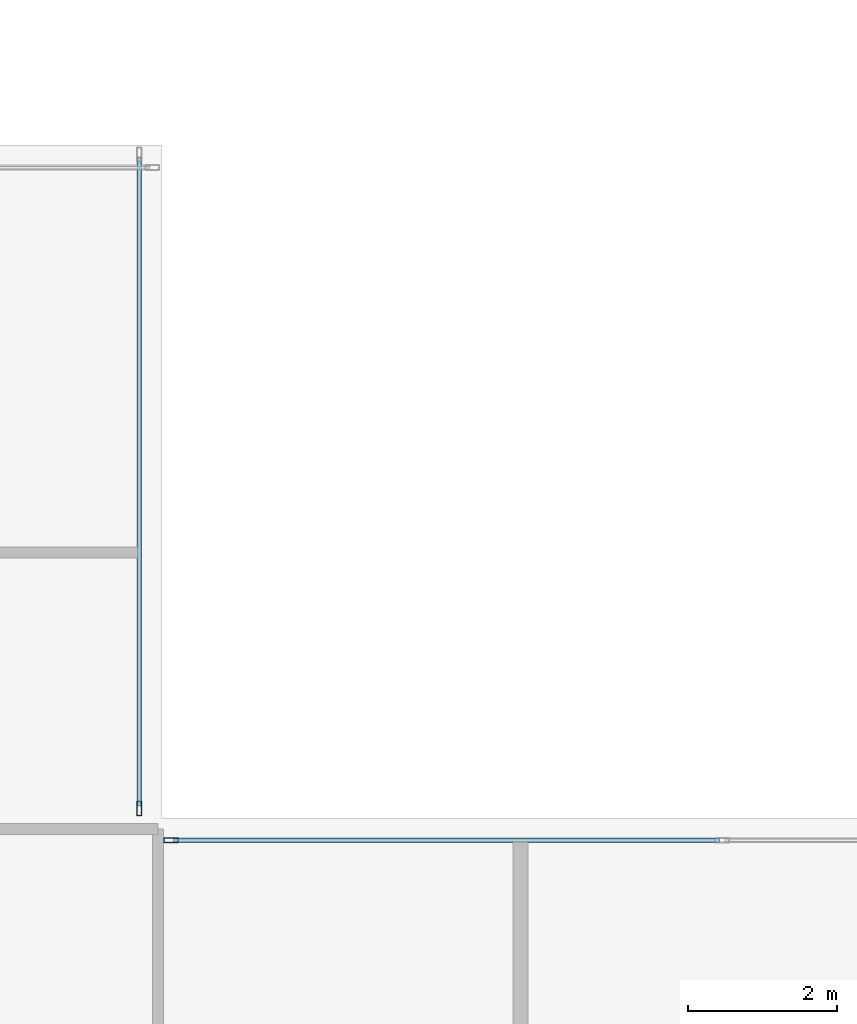
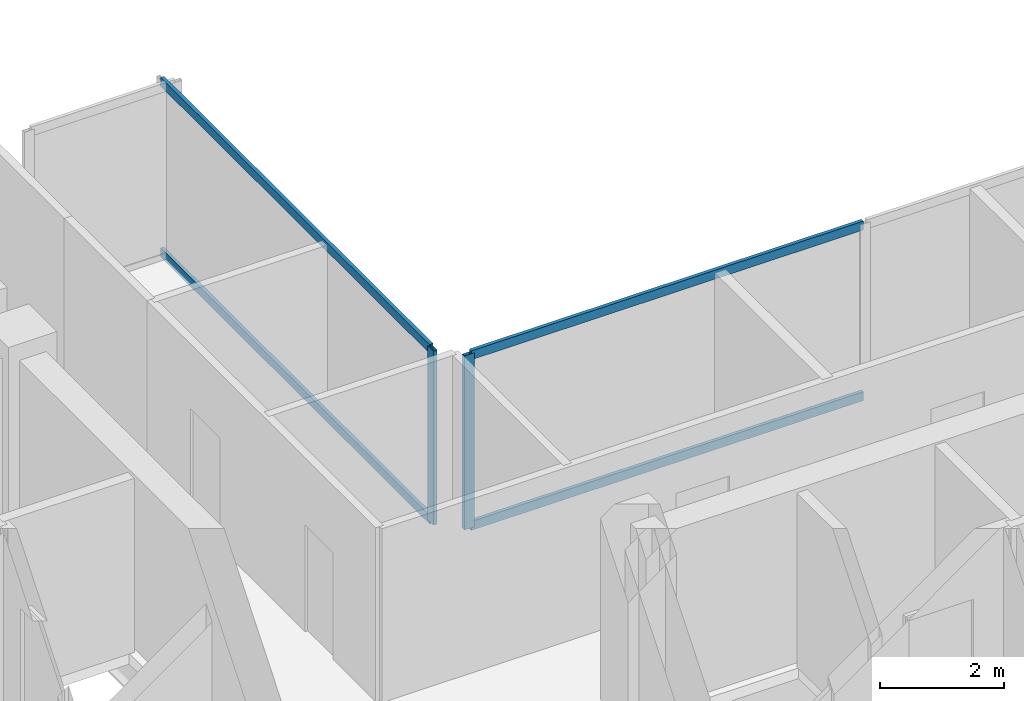
# One storey, part 10 of 25: 6 members, 2 elements without a shape of their own.
"""IFC4 building model written with IfcOpenShell, lengths in metres."""

from ifc_helpers import new_model, si_unit, direction, frame, origin, origin_2d, place, context, subcontext, project, spatial, hollow_rectangle, extrude, material, layer, layer_set, material_profile, profile_set, type_object, element, aggregate, save


model = new_model("IFC4")

# Units and contexts
model_context = context("Model", 3, precision=1e-05, world=origin(), true_north=direction((0.0, 1.0)))
body_context = subcontext(model_context, "Body", "Model", "MODEL_VIEW")
ifc_project = project(units=[si_unit("LENGTHUNIT", "METRE"), si_unit("AREAUNIT", "SQUARE_METRE"), si_unit("VOLUMEUNIT", "CUBIC_METRE"), si_unit("PLANEANGLEUNIT", "RADIAN"), si_unit("MASSUNIT", "GRAM", prefix="KILO"), si_unit("THERMODYNAMICTEMPERATUREUNIT", "KELVIN"), si_unit("POWERUNIT", "WATT")], contexts=[model_context])

# Site, building, storey
site_placement = place(None, origin())
site = spatial("IfcSite", under=ifc_project, at=site_placement, CompositionType="ELEMENT")
building_placement = place(site_placement, origin())
building = spatial("IfcBuilding", under=site, at=building_placement, Name="Svarakhadi Broadcast Tower", CompositionType="ELEMENT")
storey_placement = place(building_placement, frame((0.0, 0.0, 231.14990234375)))
storey = spatial("IfcBuildingStorey", under=building, at=storey_placement, Name="L57", CompositionType="ELEMENT", Elevation=231.14990234375)

# Curtain wall, member
ifc_material = material(Name="Anodised Bronze Aluminium AA 6063-T6", Category="aluminium")
ifc_layer = layer(ifc_material, 0.18994140625)
ifc_layer_set = layer_set([ifc_layer], Name="Anodised Bronze Aluminium AA 6063-T6")
curtain_wall_type = type_object("IfcCurtainWallType", Name="CW_Sys_04", PredefinedType="NOTDEFINED", material=ifc_layer_set)
curtain_wall_1_placement = place(storey_placement, origin())
curtain_wall_1 = element("IfcCurtainWall", 1, at=curtain_wall_1_placement, inside=storey, type_object=curtain_wall_type, Name="L57 Unitised Facade Curtain Wall 09", PredefinedType="NOTDEFINED")
ifc_material_profile_1 = material_profile(ifc_material, hollow_rectangle(XDim=0.070068359375, YDim=0.18994140625, WallThickness=0.005615234375, at=origin_2d()), Name="ALU MULLION 190x70x6")
ifc_profile_set_1 = profile_set([ifc_material_profile_1], Name="Anodised Bronze Aluminium AA 6063-T6")
member_type_1 = type_object("IfcMemberType", Name="CW_Sys_04_Mul", PredefinedType="MULLION", material=ifc_profile_set_1)
member_1_placement = place(storey_placement, frame((23.699951171875, 24.125, 0.0), z_axis=(0.0, 0.0, 1.0), x_axis=(1.0, 0.0, 0.0)))
member_1 = element("IfcMember", 2, at=member_1_placement, type_object=member_type_1, Name="CW-04 mullion 2", PredefinedType="MULLION", context=body_context, shape_type="SweptSolid", body=[
    extrude(hollow_rectangle(XDim=0.070068359375, YDim=0.18994140625, WallThickness=0.005615234375, at=origin_2d()), origin(), (0.0, 0.0, 1.0), 3.425048828125),
])

curtain_wall_2_placement = place(storey_placement, origin())
curtain_wall_2 = element("IfcCurtainWall", 3, at=curtain_wall_2_placement, inside=storey, type_object=curtain_wall_type, Name="L57 Unitised Facade Curtain Wall 10", PredefinedType="NOTDEFINED")
member_2_placement = place(storey_placement, frame((24.125, 23.699951171875, 0.0), z_axis=(0.0, 0.0, 1.0), x_axis=(0.0, 1.0, 0.0)))
member_2 = element("IfcMember", 4, at=member_2_placement, type_object=member_type_1, Name="CW-04 mullion 1", PredefinedType="MULLION", context=body_context, shape_type="SweptSolid", body=[
    extrude(hollow_rectangle(XDim=0.070068359375, YDim=0.18994140625, WallThickness=0.005615234375, at=origin_2d()), origin(), (0.0, 0.0, 1.0), 3.425048828125),
])

# Member
ifc_material_profile_2 = material_profile(ifc_material, hollow_rectangle(XDim=0.06494140625, YDim=0.175048828125, WallThickness=0.0048828125, at=origin_2d()), Name="ALU TRANSOM 175x65x5")
ifc_profile_set_2 = profile_set([ifc_material_profile_2], Name="Anodised Bronze Aluminium AA 6063-T6")
member_type_2 = type_object("IfcMemberType", Name="CW_Sys_04_Trn", PredefinedType="USERDEFINED", material=ifc_profile_set_2)
member_3_placement = place(storey_placement, frame((23.699951171875, 32.840087890625, 0.03271484375), z_axis=(0.0, -1.0, 0.0), x_axis=(1.0, 0.0, 0.0)))
member_3 = element("IfcMember", 5, at=member_3_placement, type_object=member_type_2, Name="CW-04 transom 1.1", ObjectType="TRANSOM", PredefinedType="USERDEFINED", context=body_context, shape_type="SweptSolid", body=[
    extrude(hollow_rectangle(XDim=0.06494140625, YDim=0.175048828125, WallThickness=0.0048828125, at=origin_2d()), origin(), (0.0, 0.0, 1.0), 8.68017578125),
])

member_4_placement = place(storey_placement, frame((23.699951171875, 32.840087890625, 3.392578125), z_axis=(0.0, -1.0, 0.0), x_axis=(1.0, 0.0, 0.0)))
member_4 = element("IfcMember", 6, at=member_4_placement, type_object=member_type_2, Name="CW-04 transom 1.2", ObjectType="TRANSOM", PredefinedType="USERDEFINED", context=body_context, shape_type="SweptSolid", body=[
    extrude(hollow_rectangle(XDim=0.06494140625, YDim=0.175048828125, WallThickness=0.0048828125, at=origin_2d()), origin(), (0.0, 0.0, 1.0), 8.68017578125),
])

aggregate(curtain_wall_1, [member_1, member_3, member_4])

member_5_placement = place(storey_placement, frame((24.159912109375, 23.699951171875, 0.03271484375), z_axis=(1.0, 0.0, 0.0), x_axis=(0.0, 1.0, 0.0)))
member_5 = element("IfcMember", 7, at=member_5_placement, type_object=member_type_2, Name="CW-04 transom 1.1", ObjectType="TRANSOM", PredefinedType="USERDEFINED", context=body_context, shape_type="SweptSolid", body=[
    extrude(hollow_rectangle(XDim=0.06494140625, YDim=0.175048828125, WallThickness=0.0048828125, at=origin_2d()), origin(), (0.0, 0.0, 1.0), 7.30517578125),
])

member_6_placement = place(storey_placement, frame((24.159912109375, 23.699951171875, 3.392578125), z_axis=(1.0, 0.0, 0.0), x_axis=(0.0, 1.0, 0.0)))
member_6 = element("IfcMember", 8, at=member_6_placement, type_object=member_type_2, Name="CW-04 transom 1.2", ObjectType="TRANSOM", PredefinedType="USERDEFINED", context=body_context, shape_type="SweptSolid", body=[
    extrude(hollow_rectangle(XDim=0.06494140625, YDim=0.175048828125, WallThickness=0.0048828125, at=origin_2d()), origin(), (0.0, 0.0, 1.0), 7.30517578125),
])

aggregate(curtain_wall_2, [member_2, member_5, member_6])

save(model, "model.ifc")
